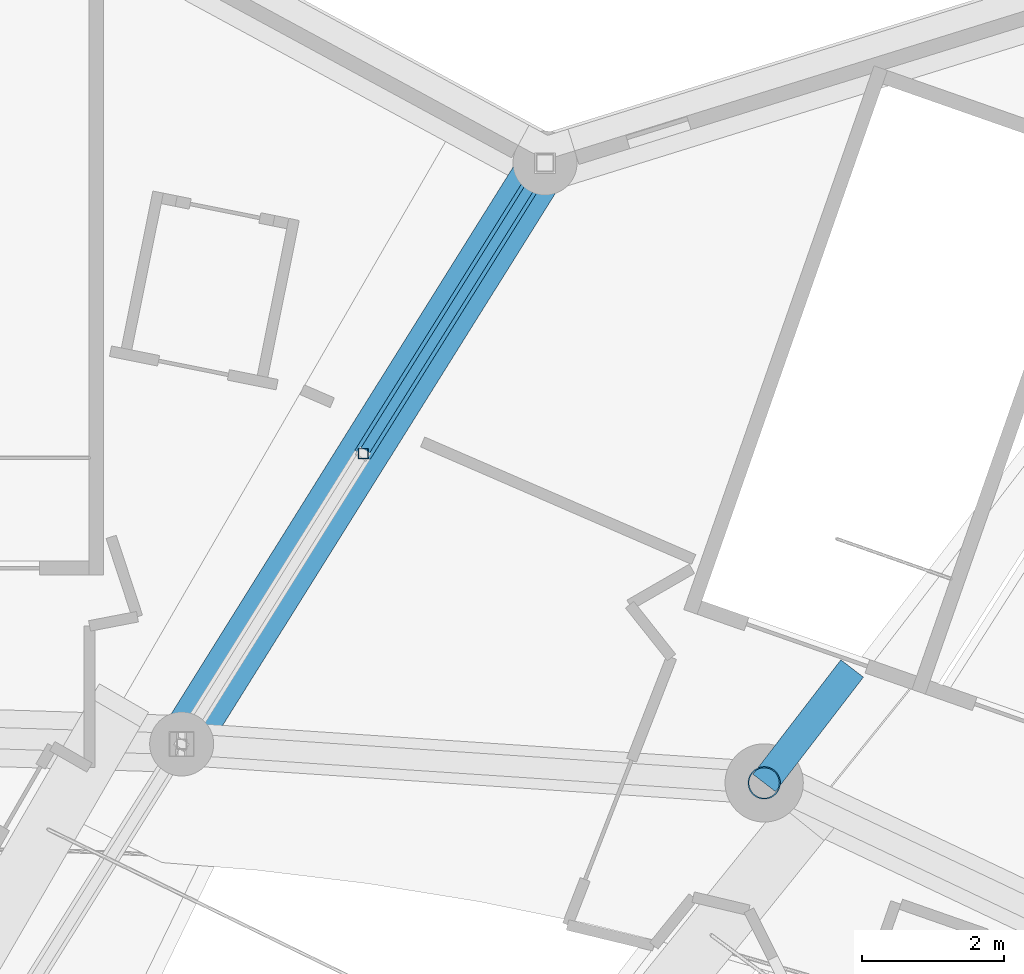
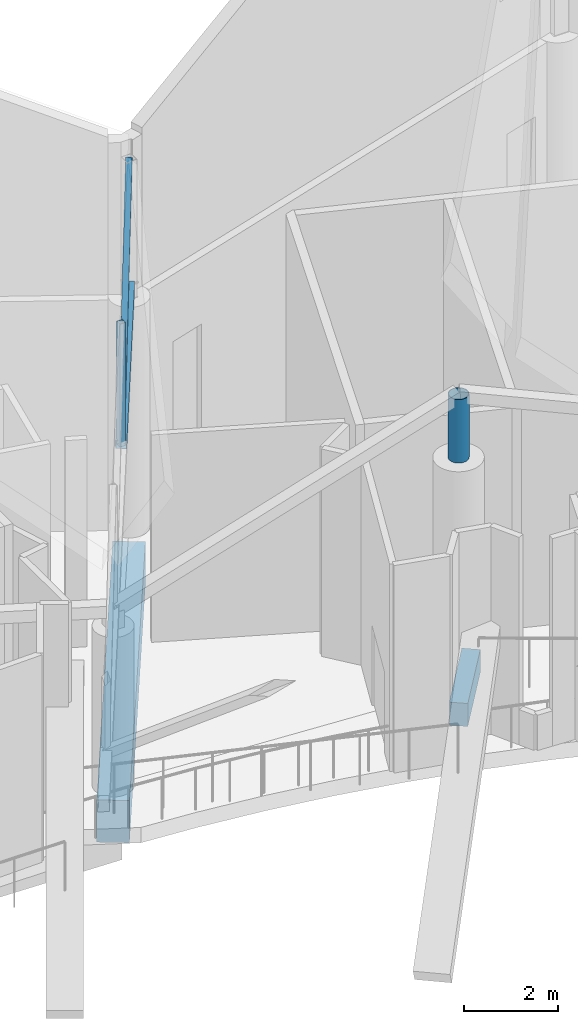
# One storey, part 202 of 344: 4 members, 2 beams.
"""IFC4 building model written with IfcOpenShell, lengths in metres."""

from ifc_helpers import new_model, si_unit, direction, frame, origin, origin_2d, place, context, subcontext, project, spatial, rectangle, hollow_rectangle, hollow_circle, extrude, material, material_profile, profile_set, type_object, element, save


model = new_model("IFC4")

# Units and contexts
model_context = context("Model", 3, precision=1e-05, world=origin(), true_north=direction((0.0, 1.0)))
body_context = subcontext(model_context, "Body", "Model", "MODEL_VIEW")
ifc_project = project(units=[si_unit("LENGTHUNIT", "METRE"), si_unit("AREAUNIT", "SQUARE_METRE"), si_unit("VOLUMEUNIT", "CUBIC_METRE"), si_unit("PLANEANGLEUNIT", "RADIAN"), si_unit("MASSUNIT", "GRAM", prefix="KILO")], contexts=[model_context])

# Site, building, storey
site_placement = place(None, origin())
site = spatial("IfcSite", under=ifc_project, at=site_placement, CompositionType="ELEMENT")
building_placement = place(site_placement, origin())
building = spatial("IfcBuilding", under=site, at=building_placement, Name="Meseta Stadium", CompositionType="ELEMENT")
storey_placement = place(building_placement, frame((0.0, 0.0, 24.0)))
storey = spatial("IfcBuildingStorey", under=building, at=storey_placement, Name="L04", CompositionType="ELEMENT", Elevation=24.0)

# Member
ifc_material_1 = material(Name="Steel S355", Category="steel")
ifc_material_profile_1 = material_profile(ifc_material_1, hollow_circle(Radius=0.228515625, WallThickness=0.01611328125, at=origin_2d()), Name="CHS 457x16")
ifc_profile_set_1 = profile_set([ifc_material_profile_1], Name="Steel S355")
member_type_1 = type_object("IfcMemberType", Name="CHS 457x16 pedestal", PredefinedType="POST", material=ifc_profile_set_1)
member_1_placement = place(storey_placement, frame((54.523193359375, 89.579345703125, 6.0), z_axis=(0.0, 0.0, 1.0), x_axis=(1.0, 0.0, 0.0)))
element("IfcMember", 1, at=member_1_placement, inside=storey, type_object=member_type_1, Name="ROOF TRUSS RT-14 pedestal", PredefinedType="POST", context=body_context, shape_type="SweptSolid", body=[
    extrude(hollow_circle(Radius=0.228515625, WallThickness=0.01611328125, at=origin_2d()), origin(), (0.0, 0.0, 1.0), 1.65380859375),
])

# Beams
ifc_material_2 = material(Name="Concrete C40/50", Category="concrete")
ifc_material_profile_2 = material_profile(ifc_material_2, rectangle(XDim=0.39990234375, YDim=0.60009765625, at=origin_2d()), Name="RC 400x600")
ifc_profile_set_2 = profile_set([ifc_material_profile_2], Name="Concrete C40/50")
beam_type_1 = type_object("IfcBeamType", Name="RC beam 400x600", PredefinedType="BEAM", material=ifc_profile_set_2)
beam_1_placement = place(storey_placement, frame((54.523193359375, 89.579345703125, -0.699951171875), z_axis=(0.60958282029, 0.792722388486, 0.0), x_axis=(-0.792722388486, 0.60958282029, 0.0)))
element("IfcBeam", 2, at=beam_1_placement, inside=storey, type_object=beam_type_1, Name="L04 radial beam frame 14 line P to R", PredefinedType="BEAM", context=body_context, shape_type="SweptSolid", body=[
    extrude(rectangle(XDim=0.39990234375, YDim=0.60009765625, at=origin_2d()), origin(), (0.0, 0.0, 1.0), 2.029052734375),
])
ifc_material_3 = material(Name="Concrete C40/50", Category="concrete")
ifc_material_profile_3 = material_profile(ifc_material_3, rectangle(XDim=0.699951171875, YDim=1.10009765625, at=origin_2d()), Name="RC 700x1100")
ifc_profile_set_3 = profile_set([ifc_material_profile_3], Name="Concrete C40/50")
beam_type_2 = type_object("IfcBeamType", Name="RC beam 700x1100", PredefinedType="BEAM", material=ifc_profile_set_3)
beam_2_placement = place(storey_placement, frame((46.333251953125, 90.126220703125, -0.949951171875), z_axis=(0.530224433937, 0.847857328597, 0.0), x_axis=(-0.847857328597, 0.530224433937, 0.0)))
element("IfcBeam", 3, at=beam_2_placement, inside=storey, type_object=beam_type_2, Name="L04 radial beam frame 15 line P to R", PredefinedType="BEAM", context=body_context, shape_type="SweptSolid", body=[
    extrude(rectangle(XDim=0.699951171875, YDim=1.10009765625, at=origin_2d()), origin(), (0.0, 0.0, 1.0), 9.634033203125),
])

# Members
ifc_material_4 = material(Name="Steel S355", Category="steel")
ifc_material_profile_4 = material_profile(ifc_material_4, hollow_rectangle(XDim=0.139892578125, YDim=0.139892578125, WallThickness=0.0048828125, at=origin_2d()), Name="SHS 140x140x5")
ifc_profile_set_4 = profile_set([ifc_material_profile_4], Name="Steel S355")
member_type_2 = type_object("IfcMemberType", Name="SHS 140x140x5 diagonal", PredefinedType="BRACE", material=ifc_profile_set_4)
member_2_placement = place(storey_placement, frame((48.88720703125, 94.210205078125, 5.488037109375), z_axis=(0.404209807189, 0.646341604327, 0.647191596275), x_axis=(-0.847853060752, 0.530231258389, 0.0)))
element("IfcMember", 4, at=member_2_placement, inside=storey, type_object=member_type_2, Name="ROOF TRUSS RT-15 diagonal", PredefinedType="BRACE", context=body_context, shape_type="SweptSolid", body=[
    extrude(hollow_rectangle(XDim=0.139892578125, YDim=0.139892578125, WallThickness=0.0048828125, at=origin_2d()), origin(), (0.0, 0.0, 1.0), 6.319091796875),
])
ifc_material_5 = material(Name="Steel S355", Category="steel")
ifc_material_profile_5 = material_profile(ifc_material_5, hollow_rectangle(XDim=0.139892578125, YDim=0.139892578125, WallThickness=0.0048828125, at=origin_2d()), Name="SHS 140x140x5")
ifc_profile_set_5 = profile_set([ifc_material_profile_5], Name="Steel S355")
member_type_3 = type_object("IfcMemberType", Name="SHS 140x140x5 post", PredefinedType="POST", material=ifc_profile_set_5)
member_3_placement = place(storey_placement, frame((48.88720703125, 94.210205078125, 5.488037109375), z_axis=(0.0, 0.0, 1.0), x_axis=(1.0, 0.0, 0.0)))
element("IfcMember", 5, at=member_3_placement, inside=storey, type_object=member_type_3, Name="ROOF TRUSS RT-15 post", PredefinedType="POST", context=body_context, shape_type="SweptSolid", body=[
    extrude(hollow_rectangle(XDim=0.139892578125, YDim=0.139892578125, WallThickness=0.0048828125, at=origin_2d()), origin(), (0.0, 0.0, 1.0), 3.199951171875),
])
ifc_material_6 = material(Name="Steel S355", Category="steel")
ifc_material_profile_6 = material_profile(ifc_material_6, hollow_rectangle(XDim=0.25, YDim=0.25, WallThickness=0.010009765625, at=origin_2d()), Name="SHS 250x250x10")
ifc_profile_set_6 = profile_set([ifc_material_profile_6], Name="Steel S355")
member_type_4 = type_object("IfcMemberType", Name="SHS 250x250x10 bottom chord", PredefinedType="CHORD", material=ifc_profile_set_6)
member_4_placement = place(storey_placement, frame((48.88720703125, 94.210205078125, 5.488037109375), z_axis=(0.521414943481, 0.833752467741, 0.181612993065), x_axis=(-0.847852178841, 0.530232668585, 0.0)))
element("IfcMember", 6, at=member_4_placement, inside=storey, type_object=member_type_4, Name="ROOF TRUSS RT-15 bottom chord", PredefinedType="CHORD", context=body_context, shape_type="SweptSolid", body=[
    extrude(hollow_rectangle(XDim=0.25, YDim=0.25, WallThickness=0.010009765625, at=origin_2d()), origin(), (0.0, 0.0, 1.0), 4.773681640625),
])

save(model, "model.ifc")
